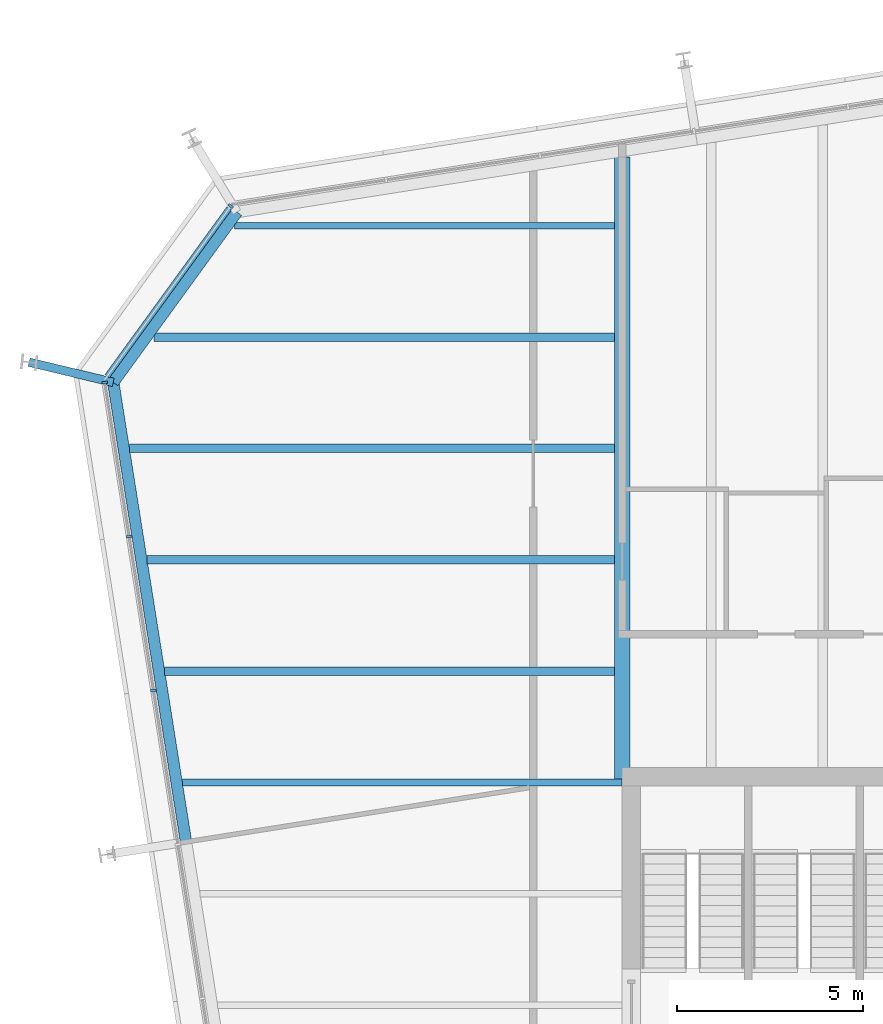
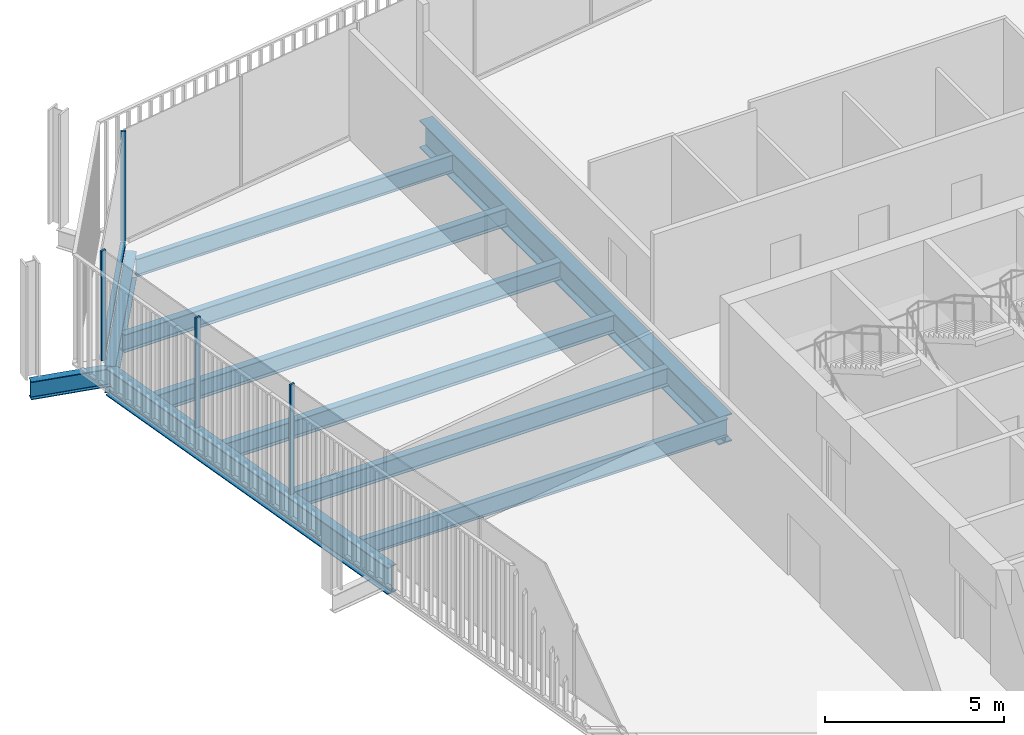
# One storey, part 10 of 20: 10 beams, 5 members, 2 elements without a shape of their own.
"""IFC4 building model written with IfcOpenShell, lengths in metres."""

from ifc_helpers import new_model, si_unit, direction, frame, origin, origin_2d, place, context, subcontext, project, spatial, rectangle, i_section, extrude, material, layer, layer_set, material_profile, profile_set, type_object, element, aggregate, save


model = new_model("IFC4")

# Units and contexts
model_context = context("Model", 3, precision=1e-05, world=origin(), true_north=direction((0.0, 1.0)))
body_context = subcontext(model_context, "Body", "Model", "MODEL_VIEW")
ifc_project = project(units=[si_unit("LENGTHUNIT", "METRE"), si_unit("AREAUNIT", "SQUARE_METRE"), si_unit("VOLUMEUNIT", "CUBIC_METRE"), si_unit("PLANEANGLEUNIT", "RADIAN"), si_unit("MASSUNIT", "GRAM", prefix="KILO")], contexts=[model_context])

# Site, building, storey
site_placement = place(None, origin())
site = spatial("IfcSite", under=ifc_project, at=site_placement, CompositionType="ELEMENT")
building_placement = place(site_placement, origin())
building = spatial("IfcBuilding", under=site, at=building_placement, Name="Millrace Tower", CompositionType="ELEMENT")
storey_placement = place(building_placement, frame((0.0, 0.0, 259.10009765625)))
storey = spatial("IfcBuildingStorey", under=building, at=storey_placement, Name="L59", CompositionType="ELEMENT", Elevation=259.10009765625)

# Curtain wall, member
ifc_material_1 = material(Name="Aluminium and glass", Category="aluminium")
ifc_layer = layer(ifc_material_1, 0.14990234375)
ifc_layer_set = layer_set([ifc_layer], Name="Aluminium and glass")
curtain_wall_type = type_object("IfcCurtainWallType", Name="CW-1 office vision curtain wall", PredefinedType="NOTDEFINED", material=ifc_layer_set)
placement = place(storey_placement, origin())
curtain_wall_1 = element("IfcCurtainWall", 1, at=placement, inside=storey, type_object=curtain_wall_type, Name="Curtain wall D-F07 L59", PredefinedType="NOTDEFINED")
ifc_material_2 = material(Name="Aluminium", Category="aluminium")
ifc_material_profile_1 = material_profile(ifc_material_2, rectangle(XDim=0.06494140625, YDim=0.14990234375, at=origin_2d()))
ifc_profile_set_1 = profile_set([ifc_material_profile_1], Name="Aluminium")
member_type_1 = type_object("IfcMemberType", Name="CW-1 office vision curtain wall mullion", PredefinedType="MULLION", material=ifc_profile_set_1)
member_1_placement = place(storey_placement, frame((-24.945068359375, 24.528076171875, 0.139892578125), z_axis=(0.0, 0.0, 1.0), x_axis=(-0.587785305991, -0.809016955361, 0.0)))
member_1 = element("IfcMember", 2, at=member_1_placement, type_object=member_type_1, Name="CW1 mullion D-F07.1", PredefinedType="MULLION", context=body_context, shape_type="SweptSolid", body=[
    extrude(rectangle(XDim=0.06494140625, YDim=0.14990234375, at=origin_2d()), origin(), (0.0, 0.0, 1.0), 3.760009765625),
])

# Curtain wall, members
curtain_wall_2 = element("IfcCurtainWall", 3, at=placement, inside=storey, type_object=curtain_wall_type, Name="Curtain wall D-F08 L59", PredefinedType="NOTDEFINED")
member_2_placement = place(storey_placement, frame((-28.342529296875, 19.775390625, 0.139892578125), z_axis=(0.0, 0.0, 1.0), x_axis=(0.156434471884, -0.987688339511, 0.0)))
member_2 = element("IfcMember", 4, at=member_2_placement, type_object=member_type_1, Name="CW1 mullion D-F08.1", PredefinedType="MULLION", context=body_context, shape_type="SweptSolid", body=[
    extrude(rectangle(XDim=0.06494140625, YDim=0.14990234375, at=origin_2d()), origin(), (0.0, 0.0, 1.0), 3.760009765625),
])
member_3_placement = place(storey_placement, frame((-27.685302734375, 15.627197265625, 0.139892578125), z_axis=(0.0, 0.0, 1.0), x_axis=(0.156434471884, -0.987688339511, 0.0)))
member_3 = element("IfcMember", 5, at=member_3_placement, type_object=member_type_1, Name="CW1 mullion D-F08.2", PredefinedType="MULLION", context=body_context, shape_type="SweptSolid", body=[
    extrude(rectangle(XDim=0.06494140625, YDim=0.14990234375, at=origin_2d()), origin(), (0.0, 0.0, 1.0), 3.760009765625),
])
member_4_placement = place(storey_placement, frame((-27.0283203125, 11.47900390625, 0.139892578125), z_axis=(0.0, 0.0, 1.0), x_axis=(0.156434471884, -0.987688339511, 0.0)))
member_4 = element("IfcMember", 6, at=member_4_placement, type_object=member_type_1, Name="CW1 mullion D-F08.3", PredefinedType="MULLION", context=body_context, shape_type="SweptSolid", body=[
    extrude(rectangle(XDim=0.06494140625, YDim=0.14990234375, at=origin_2d()), origin(), (0.0, 0.0, 1.0), 3.760009765625),
])
aggregate(curtain_wall_2, [member_2, member_3, member_4])

# Member
ifc_material_3 = material(Name="Aluminium", Category="aluminium")
ifc_material_profile_2 = material_profile(ifc_material_3, rectangle(XDim=0.14990234375, YDim=0.139892578125, at=origin_2d()))
ifc_profile_set_2 = profile_set([ifc_material_profile_2], Name="Aluminium")
member_type_2 = type_object("IfcMemberType", Name="CW-1 office vision curtain wall transom", PredefinedType="USERDEFINED", material=ifc_profile_set_2)
member_5_placement = place(storey_placement, frame((-24.98486328125, 24.473388671875, 0.06982421875), z_axis=(-0.587782670904, -0.809018869857, 0.0), x_axis=(0.809018869857, -0.587782670904, 0.0)))
member_5 = element("IfcMember", 7, at=member_5_placement, type_object=member_type_2, Name="CW1 transom D-F07.1", ObjectType="TRANSOM", PredefinedType="USERDEFINED", context=body_context, shape_type="SweptSolid", body=[
    extrude(rectangle(XDim=0.14990234375, YDim=0.139892578125, at=origin_2d()), origin(), (0.0, 0.0, 1.0), 5.59814453125),
])

aggregate(curtain_wall_1, [member_1, member_5])

# Beams
ifc_material_4 = material(Name="Steel ASTM A992 Grade 50", Category="steel")
ifc_material_profile_3 = material_profile(ifc_material_4, i_section(OverallWidth=0.1787109375, OverallDepth=0.60205078125, WebThickness=0.010986328125, FlangeThickness=0.014892578125, FilletRadius=0.0126953125, at=origin_2d()))
ifc_profile_set_3 = profile_set([ifc_material_profile_3], Name="Steel ASTM A992 Grade 50")
beam_type_1 = type_object("IfcBeamType", Name="Floor beam W24x62", PredefinedType="JOIST", material=ifc_profile_set_3)
beam_1_placement = place(storey_placement, frame((-26.248779296875, 9.0, -0.461181640625), z_axis=(1.0, 0.0, 0.0), x_axis=(0.0, 1.0, 0.0)))
element("IfcBeam", 8, at=beam_1_placement, inside=storey, type_object=beam_type_1, Name="BM-D-L59-S1-S023", PredefinedType="JOIST", context=body_context, shape_type="SweptSolid", body=[
    extrude(i_section(OverallWidth=0.1787109375, OverallDepth=0.60205078125, WebThickness=0.010986328125, FlangeThickness=0.014892578125, FilletRadius=0.0126953125, at=origin_2d()), origin(), (0.0, 0.0, 1.0), 11.848876953125),
])
beam_2_placement = place(storey_placement, frame((-24.843994140625, 24.0, -0.461181640625), z_axis=(1.0, 0.0, 0.0), x_axis=(0.0, 1.0, 0.0)))
element("IfcBeam", 9, at=beam_2_placement, inside=storey, type_object=beam_type_1, Name="BM-D-L59-S1-S033", PredefinedType="JOIST", context=body_context, shape_type="SweptSolid", body=[
    extrude(i_section(OverallWidth=0.1787109375, OverallDepth=0.60205078125, WebThickness=0.010986328125, FlangeThickness=0.014892578125, FilletRadius=0.0126953125, at=origin_2d()), origin(), (0.0, 0.0, 1.0), 10.234375),
])
ifc_material_5 = material(Name="Steel ASTM A992 Grade 50", Category="steel")
ifc_material_profile_4 = material_profile(ifc_material_5, i_section(OverallWidth=0.228271484375, OverallDepth=0.607177734375, WebThickness=0.01123046875, FlangeThickness=0.017333984375, FilletRadius=0.0126953125, at=origin_2d()))
ifc_profile_set_4 = profile_set([ifc_material_profile_4], Name="Steel ASTM A992 Grade 50")
beam_type_2 = type_object("IfcBeamType", Name="Floor beam W24x76", PredefinedType="JOIST", material=ifc_profile_set_4)
beam_3_placement = place(storey_placement, frame((-26.723876953125, 12.0, -0.463623046875), z_axis=(1.0, 0.0, 0.0), x_axis=(0.0, 1.0, 0.0)))
element("IfcBeam", 10, at=beam_3_placement, inside=storey, type_object=beam_type_2, Name="BM-D-L59-S1-S025", PredefinedType="JOIST", context=body_context, shape_type="SweptSolid", body=[
    extrude(i_section(OverallWidth=0.228271484375, OverallDepth=0.607177734375, WebThickness=0.01123046875, FlangeThickness=0.017333984375, FilletRadius=0.0126953125, at=origin_2d()), origin(), (0.0, 0.0, 1.0), 12.1142578125),
])
beam_4_placement = place(storey_placement, frame((-27.198974609375, 15.0, -0.463623046875), z_axis=(1.0, 0.0, 0.0), x_axis=(0.0, 1.0, 0.0)))
element("IfcBeam", 11, at=beam_4_placement, inside=storey, type_object=beam_type_2, Name="BM-D-L59-S1-S027", PredefinedType="JOIST", context=body_context, shape_type="SweptSolid", body=[
    extrude(i_section(OverallWidth=0.228271484375, OverallDepth=0.607177734375, WebThickness=0.01123046875, FlangeThickness=0.017333984375, FilletRadius=0.0126953125, at=origin_2d()), origin(), (0.0, 0.0, 1.0), 12.58935546875),
])
beam_5_placement = place(storey_placement, frame((-27.674072265625, 18.0, -0.463623046875), z_axis=(1.0, 0.0, 0.0), x_axis=(0.0, 1.0, 0.0)))
element("IfcBeam", 12, at=beam_5_placement, inside=storey, type_object=beam_type_2, Name="BM-D-L59-S1-S029", PredefinedType="JOIST", context=body_context, shape_type="SweptSolid", body=[
    extrude(i_section(OverallWidth=0.228271484375, OverallDepth=0.607177734375, WebThickness=0.01123046875, FlangeThickness=0.017333984375, FilletRadius=0.0126953125, at=origin_2d()), origin(), (0.0, 0.0, 1.0), 13.064453125),
])
beam_6_placement = place(storey_placement, frame((-27.0078125, 21.0, -0.463623046875), z_axis=(1.0, 0.0, 0.0), x_axis=(0.0, 1.0, 0.0)))
element("IfcBeam", 13, at=beam_6_placement, inside=storey, type_object=beam_type_2, Name="BM-D-L59-S1-S031", PredefinedType="JOIST", context=body_context, shape_type="SweptSolid", body=[
    extrude(i_section(OverallWidth=0.228271484375, OverallDepth=0.607177734375, WebThickness=0.01123046875, FlangeThickness=0.017333984375, FilletRadius=0.0126953125, at=origin_2d()), origin(), (0.0, 0.0, 1.0), 12.398193359375),
])
ifc_material_6 = material(Name="Steel ASTM A992 Grade 50", Category="steel")
ifc_material_profile_5 = material_profile(ifc_material_6, i_section(OverallWidth=0.424072265625, OverallDepth=0.947509765625, WebThickness=0.02392578125, FlangeThickness=0.042724609375, FilletRadius=0.024169921875, at=origin_2d()))
ifc_profile_set_5 = profile_set([ifc_material_profile_5], Name="Steel ASTM A992 Grade 50")
beam_type_3 = type_object("IfcBeamType", Name="Girder medium span W36x302", PredefinedType="BEAM", material=ifc_profile_set_5)
beam_7_placement = place(storey_placement, frame((-14.39990234375, 9.092041015625, -0.6337890625), z_axis=(0.0, 1.0, 0.0), x_axis=(-1.0, 0.0, 0.0)))
element("IfcBeam", 14, at=beam_7_placement, inside=storey, type_object=beam_type_3, Name="BM-D-L59-S1-G054", PredefinedType="BEAM", context=body_context, shape_type="SweptSolid", body=[
    extrude(i_section(OverallWidth=0.424072265625, OverallDepth=0.947509765625, WebThickness=0.02392578125, FlangeThickness=0.042724609375, FilletRadius=0.024169921875, at=origin_2d()), origin(), (0.0, 0.0, 1.0), 16.756591796875),
])
ifc_material_7 = material(Name="Steel ASTM A992 Grade 50", Category="steel")
ifc_material_profile_6 = material_profile(ifc_material_7, i_section(OverallWidth=0.23046875, OverallDepth=0.6171875, WebThickness=0.01318359375, FlangeThickness=0.022216796875, FilletRadius=0.012939453125, at=origin_2d()))
ifc_profile_set_6 = profile_set([ifc_material_profile_6], Name="Steel ASTM A992 Grade 50")
beam_type_4 = type_object("IfcBeamType", Name="Link beam W24x94", PredefinedType="BEAM", material=ifc_profile_set_6)
beam_8_placement = place(storey_placement, frame((-28.11181640625, 19.780517578125, -0.46875), z_axis=(-0.972367333652, 0.233456138164, 0.0), x_axis=(-0.233456138164, -0.972367333652, 0.0)))
element("IfcBeam", 15, at=beam_8_placement, inside=storey, type_object=beam_type_4, Name="LNK-D-L59-S1-04", PredefinedType="BEAM", context=body_context, shape_type="SweptSolid", body=[
    extrude(i_section(OverallWidth=0.23046875, OverallDepth=0.6171875, WebThickness=0.01318359375, FlangeThickness=0.022216796875, FilletRadius=0.012939453125, at=origin_2d()), origin(), (0.0, 0.0, 1.0), 2.3310546875),
])
ifc_material_8 = material(Name="Steel ASTM A992 Grade 50", Category="steel")
ifc_material_profile_7 = material_profile(ifc_material_8, i_section(OverallWidth=0.307373046875, OverallDepth=0.927001953125, WebThickness=0.01953125, FlangeThickness=0.031982421875, FilletRadius=0.01904296875, at=origin_2d()))
ifc_profile_set_7 = profile_set([ifc_material_profile_7], Name="Steel ASTM A992 Grade 50")
beam_type_5 = type_object("IfcBeamType", Name="Ring beam medium span W36x194", PredefinedType="SPANDREL", material=ifc_profile_set_7)
beam_9_placement = place(storey_placement, frame((-26.150634765625, 7.3984375, -0.62353515625), z_axis=(-0.156438575049, 0.987687689625, 0.0), x_axis=(-0.987687689625, -0.156438575049, 0.0)))
element("IfcBeam", 16, at=beam_9_placement, inside=storey, type_object=beam_type_5, Name="RNG-D-L59-S1-03", PredefinedType="SPANDREL", context=body_context, shape_type="SweptSolid", body=[
    extrude(i_section(OverallWidth=0.307373046875, OverallDepth=0.927001953125, WebThickness=0.01953125, FlangeThickness=0.031982421875, FilletRadius=0.01904296875, at=origin_2d()), origin(), (0.0, 0.0, 1.0), 12.536376953125),
])
ifc_material_9 = material(Name="Steel ASTM A992 Grade 50", Category="steel")
ifc_material_profile_8 = material_profile(ifc_material_9, i_section(OverallWidth=0.307373046875, OverallDepth=0.927001953125, WebThickness=0.01953125, FlangeThickness=0.031982421875, FilletRadius=0.01904296875, at=origin_2d()))
ifc_profile_set_8 = profile_set([ifc_material_profile_8], Name="Steel ASTM A992 Grade 50")
beam_type_6 = type_object("IfcBeamType", Name="Ring beam short span W36x194", PredefinedType="SPANDREL", material=ifc_profile_set_8)
beam_10_placement = place(storey_placement, frame((-28.11181640625, 19.780517578125, -0.62353515625), z_axis=(0.587808154511, 0.809000354444, 0.0), x_axis=(-0.809000354444, 0.587808154511, 0.0)))
element("IfcBeam", 17, at=beam_10_placement, inside=storey, type_object=beam_type_6, Name="RNG-D-L59-S1-04", PredefinedType="SPANDREL", context=body_context, shape_type="SweptSolid", body=[
    extrude(i_section(OverallWidth=0.307373046875, OverallDepth=0.927001953125, WebThickness=0.01953125, FlangeThickness=0.031982421875, FilletRadius=0.01904296875, at=origin_2d()), origin(), (0.0, 0.0, 1.0), 5.671142578125),
])

save(model, "model.ifc")
